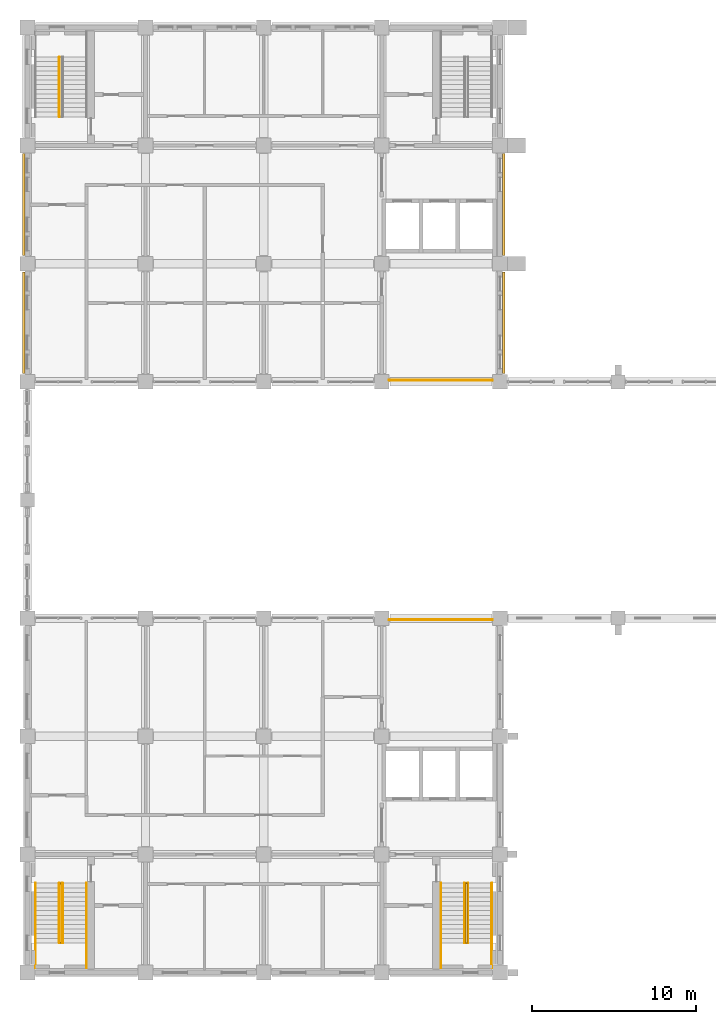
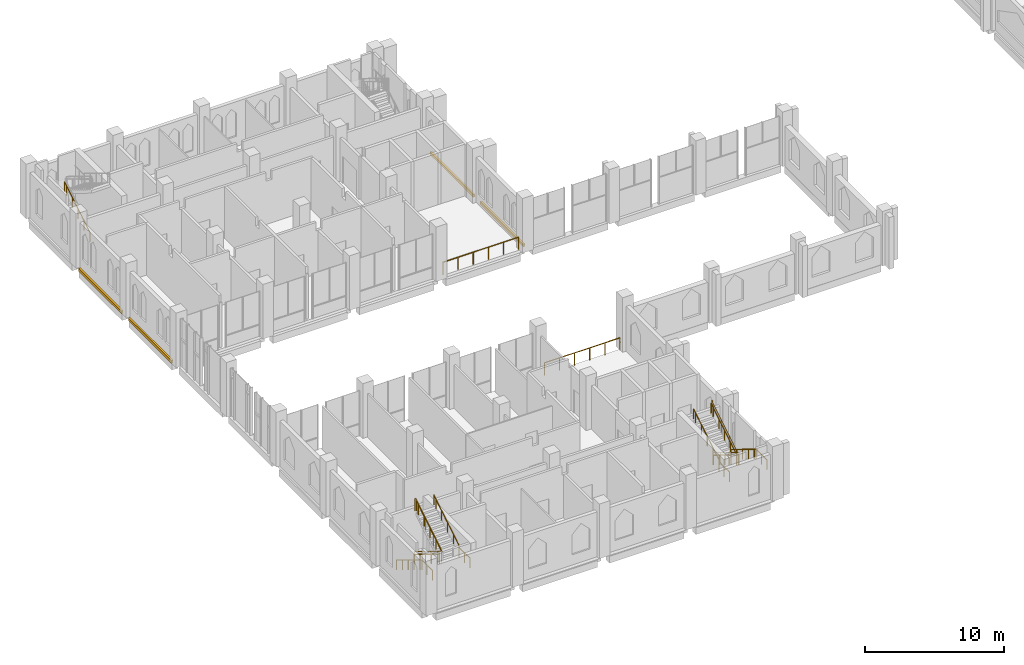
# One storey, part 38 of 40: 13 railings, 4 coverings.
"""IFC4 building model written with IfcOpenShell, lengths in metres."""

from ifc_helpers import new_model, si_unit, direction, frame, origin, origin_2d, place, context, subcontext, project, spatial, rectangle, circle, extrude, material, type_object, element, save


model = new_model("IFC4")

# Units and contexts
model_context = context("Model", 3, precision=1e-05, world=origin(), true_north=direction((0.0, 1.0)))
body_context = subcontext(model_context, "Body", "Model", "MODEL_VIEW")
ifc_project = project(units=[si_unit("LENGTHUNIT", "METRE"), si_unit("AREAUNIT", "SQUARE_METRE"), si_unit("VOLUMEUNIT", "CUBIC_METRE"), si_unit("PLANEANGLEUNIT", "RADIAN"), si_unit("MASSUNIT", "GRAM", prefix="KILO")], contexts=[model_context])

# Site, building, storey
site_placement = place(None, origin())
site = spatial("IfcSite", under=ifc_project, at=site_placement, CompositionType="ELEMENT")
building_placement = place(site_placement, origin())
building = spatial("IfcBuilding", under=site, at=building_placement, Name="Silangan Lancet Faculty of Sciences", CompositionType="ELEMENT")
storey_placement = place(building_placement, frame((0.0, 0.0, 16.800048828125)))
storey = spatial("IfcBuildingStorey", under=building, at=storey_placement, Name="L03", CompositionType="ELEMENT", Elevation=16.800048828125)

# Railings
ifc_material_1 = material(Name="Steel balustrade", Category="steel")
railing_type_1 = type_object("IfcRailingType", Name="ATRIUM GUARD 1100", PredefinedType="GUARDRAIL", material=ifc_material_1)
for number, where, name in (
    (1, (22.050048828125, 21.5, 0.0), "GUARD-ATR-L03-S5"),
    (2, (22.050048828125, 36.10009765625, 0.0), "GUARD-ATR-L03-N6"),
):
    element("IfcRailing", number, at=place(storey_placement, frame(where)), inside=storey, type_object=railing_type_1, Name=name, PredefinedType="GUARDRAIL", context=body_context, shape_type="SweptSolid", body=[
        extrude(circle(Radius=0.02392578125, at=origin_2d()), frame((0.0, 0.0, 1.076171875), z_axis=(1.0, 0.0, 0.0), x_axis=(0.0, 1.0, 0.0)), (0.0, 0.0, 1.0), 6.300048828125),
        extrude(circle(Radius=0.02099609375, at=origin_2d()), origin(), (0.0, 0.0, 1.0), 1.052001953125),
        extrude(circle(Radius=0.02099609375, at=origin_2d()), frame((1.260009765625, 0.0, 0.0)), (0.0, 0.0, 1.0), 1.052001953125),
        extrude(circle(Radius=0.02099609375, at=origin_2d()), frame((2.52001953125, 0.0, 0.0)), (0.0, 0.0, 1.0), 1.052001953125),
        extrude(circle(Radius=0.02099609375, at=origin_2d()), frame((3.780029296875, 0.0, 0.0)), (0.0, 0.0, 1.0), 1.052001953125),
        extrude(circle(Radius=0.02099609375, at=origin_2d()), frame((5.0400390625, 0.0, 0.0)), (0.0, 0.0, 1.0), 1.052001953125),
        extrude(circle(Radius=0.02099609375, at=origin_2d()), frame((6.300048828125, 0.0, 0.0)), (0.0, 0.0, 1.0), 1.052001953125),
    ])

# Coverings
ifc_material_2 = material(Name="Concrete C40/50 precast", Category="concrete")
covering_type = type_object("IfcCoveringType", Name="SC1 Precast string course 250 x 150", PredefinedType="CLADDING", material=ifc_material_2)
for number, where, z_axis, x_axis, name in (
    (3, (29.02490234375, 39.60009765625, -0.25), (0.0, 0.0, 1.0), (1.0, 0.0, 0.0), "SC-L03-E-NT-00"),
    (4, (29.02490234375, 46.800048828125, -0.25), (0.0, 0.0, 1.0), (1.0, 0.0, 0.0), "SC-L03-E-NT-01"),
    (5, (-0.22509765625, 39.60009765625, -0.25), (0.0, 0.0, 1.0), (1.0, 0.0, 0.0), "SC-L03-W-NT-00"),
    (6, (-0.22509765625, 46.800048828125, -0.25), (0.0, 0.0, 1.0), (1.0, 0.0, 0.0), "SC-L03-W-NT-01"),
):
    element("IfcCovering", number, at=place(storey_placement, frame(where, z_axis=z_axis, x_axis=x_axis)), inside=storey, type_object=covering_type, Name=name, PredefinedType="CLADDING", context=body_context, shape_type="SweptSolid", body=[
        extrude(rectangle(XDim=0.14990234375, YDim=6.199951171875, at=origin_2d()), origin(), (0.0, 0.0, 1.0), 0.25),
    ])

# Railings
ifc_material_3 = material(Name="Steel balustrade", Category="steel")
railing_type_2 = type_object("IfcRailingType", Name="STAIR GUARD 1100", PredefinedType="GUARDRAIL", material=ifc_material_3)
railing_1_placement = place(storey_placement, frame((2.0, 5.449951171875, 0.17138671875)))
element("IfcRailing", 7, at=railing_1_placement, inside=storey, type_object=railing_type_2, Name="GUARD-ST-A-L03", PredefinedType="GUARDRAIL", context=body_context, shape_type="SweptSolid", body=[
    extrude(circle(Radius=0.02392578125, at=origin_2d()), frame((0.0, 0.0, 1.076171875), z_axis=(0.0, -0.852881719064, 0.522104178577), x_axis=(1.0, 0.0, 0.0)), (0.0, 0.0, 1.0), 1.31298828125),
    extrude(circle(Radius=0.02392578125, at=origin_2d()), frame((0.0, -1.119873046875, 1.76171875), z_axis=(0.0, -0.852766832618, 0.522291804633), x_axis=(1.0, 0.0, 0.0)), (0.0, 0.0, 1.0), 1.3134765625),
    extrude(circle(Radius=0.02392578125, at=origin_2d()), frame((0.0, -2.239990234375, 2.44775390625), z_axis=(0.0, -0.852881719064, 0.522104178577), x_axis=(1.0, 0.0, 0.0)), (0.0, 0.0, 1.0), 1.31298828125),
    extrude(circle(Radius=0.02392578125, at=origin_2d()), frame((0.0, -3.35986328125, 3.13330078125), z_axis=(0.0, -0.852932391421, 0.522021393877), x_axis=(1.0, 0.0, 0.0)), (0.0, 0.0, 1.0), 0.328369140625),
    extrude(circle(Radius=0.02392578125, at=origin_2d()), frame((0.0, -3.639892578125, 3.3046875), z_axis=(1.0, 0.0, 0.0), x_axis=(0.0, 1.0, 0.0)), (0.0, 0.0, 1.0), 0.10009765625),
    extrude(circle(Radius=0.02392578125, at=origin_2d()), frame((0.10009765625, -3.639892578125, 3.3046875), z_axis=(0.0, 0.0, 1.0), x_axis=(1.0, 0.0, 0.0)), (0.0, 0.0, 1.0), 0.17138671875),
    extrude(circle(Radius=0.02392578125, at=origin_2d()), frame((0.10009765625, -3.639892578125, 3.47607421875), z_axis=(0.0, 0.852798921012, 0.522239409008), x_axis=(-1.0, 0.0, 0.0)), (0.0, 0.0, 1.0), 1.313232421875),
    extrude(circle(Radius=0.02392578125, at=origin_2d()), frame((0.10009765625, -2.52001953125, 4.16162109375), z_axis=(0.0, 0.852849614702, 0.52215661894), x_axis=(-1.0, 0.0, 0.0)), (0.0, 0.0, 1.0), 1.3134765625),
    extrude(circle(Radius=0.02392578125, at=origin_2d()), frame((0.10009765625, -1.39990234375, 4.84765625), z_axis=(0.0, 0.852798921012, 0.522239409008), x_axis=(-1.0, 0.0, 0.0)), (0.0, 0.0, 1.0), 1.313232421875),
    extrude(circle(Radius=0.02392578125, at=origin_2d()), frame((0.10009765625, -0.280029296875, 5.533203125), z_axis=(0.0, 0.852932391421, 0.522021393877), x_axis=(-1.0, 0.0, 0.0)), (0.0, 0.0, 1.0), 0.328369140625),
    extrude(circle(Radius=0.02392578125, at=origin_2d()), frame((0.10009765625, 0.0, 5.70458984375), z_axis=(-1.0, 0.0, 0.0), x_axis=(0.0, -1.0, 0.0)), (0.0, 0.0, 1.0), 0.10009765625),
    extrude(circle(Radius=0.02099609375, at=origin_2d()), origin(), (0.0, 0.0, 1.0), 1.052001953125),
    extrude(circle(Radius=0.02099609375, at=origin_2d()), frame((0.0, -1.119873046875, 0.685546875)), (0.0, 0.0, 1.0), 1.052001953125),
    extrude(circle(Radius=0.02099609375, at=origin_2d()), frame((0.0, -2.239990234375, 1.37158203125)), (0.0, 0.0, 1.0), 1.052001953125),
    extrude(circle(Radius=0.02099609375, at=origin_2d()), frame((0.0, -3.35986328125, 2.05712890625)), (0.0, 0.0, 1.0), 1.052001953125),
    extrude(circle(Radius=0.02099609375, at=origin_2d()), frame((0.0, -3.639892578125, 2.228515625)), (0.0, 0.0, 1.0), 1.052001953125),
    extrude(circle(Radius=0.02099609375, at=origin_2d()), frame((0.10009765625, -3.639892578125, 2.228515625)), (0.0, 0.0, 1.0), 1.052001953125),
    extrude(circle(Radius=0.02099609375, at=origin_2d()), frame((0.10009765625, -3.639892578125, 2.39990234375)), (0.0, 0.0, 1.0), 1.052001953125),
    extrude(circle(Radius=0.02099609375, at=origin_2d()), frame((0.10009765625, -2.52001953125, 3.085693359375)), (0.0, 0.0, 1.0), 1.052001953125),
    extrude(circle(Radius=0.02099609375, at=origin_2d()), frame((0.10009765625, -1.39990234375, 3.771484375)), (0.0, 0.0, 1.0), 1.052001953125),
    extrude(circle(Radius=0.02099609375, at=origin_2d()), frame((0.10009765625, -0.280029296875, 4.457275390625)), (0.0, 0.0, 1.0), 1.052001953125),
    extrude(circle(Radius=0.02099609375, at=origin_2d()), frame((0.10009765625, 0.0, 4.628662109375)), (0.0, 0.0, 1.0), 1.052001953125),
    extrude(circle(Radius=0.02099609375, at=origin_2d()), frame((0.0, 0.0, 4.628662109375)), (0.0, 0.0, 1.0), 1.052001953125),
])
railing_2_placement = place(storey_placement, frame((26.800048828125, 5.449951171875, 0.17138671875)))
element("IfcRailing", 8, at=railing_2_placement, inside=storey, type_object=railing_type_2, Name="GUARD-ST-B-L03", PredefinedType="GUARDRAIL", context=body_context, shape_type="SweptSolid", body=[
    extrude(circle(Radius=0.02392578125, at=origin_2d()), frame((0.0, 0.0, 1.076171875), z_axis=(0.0, -0.852881719064, 0.522104178577), x_axis=(1.0, 0.0, 0.0)), (0.0, 0.0, 1.0), 1.31298828125),
    extrude(circle(Radius=0.02392578125, at=origin_2d()), frame((0.0, -1.119873046875, 1.76171875), z_axis=(0.0, -0.852766832618, 0.522291804633), x_axis=(1.0, 0.0, 0.0)), (0.0, 0.0, 1.0), 1.3134765625),
    extrude(circle(Radius=0.02392578125, at=origin_2d()), frame((0.0, -2.239990234375, 2.44775390625), z_axis=(0.0, -0.852881719064, 0.522104178577), x_axis=(1.0, 0.0, 0.0)), (0.0, 0.0, 1.0), 1.31298828125),
    extrude(circle(Radius=0.02392578125, at=origin_2d()), frame((0.0, -3.35986328125, 3.13330078125), z_axis=(0.0, -0.852932391421, 0.522021393877), x_axis=(1.0, 0.0, 0.0)), (0.0, 0.0, 1.0), 0.328369140625),
    extrude(circle(Radius=0.02392578125, at=origin_2d()), frame((0.0, -3.639892578125, 3.3046875), z_axis=(-1.0, 0.0, 0.0), x_axis=(0.0, -1.0, 0.0)), (0.0, 0.0, 1.0), 0.10009765625),
    extrude(circle(Radius=0.02392578125, at=origin_2d()), frame((-0.10009765625, -3.639892578125, 3.3046875), z_axis=(0.0, 0.0, 1.0), x_axis=(1.0, 0.0, 0.0)), (0.0, 0.0, 1.0), 0.17138671875),
    extrude(circle(Radius=0.02392578125, at=origin_2d()), frame((-0.10009765625, -3.639892578125, 3.47607421875), z_axis=(0.0, 0.852798921012, 0.522239409008), x_axis=(-1.0, 0.0, 0.0)), (0.0, 0.0, 1.0), 1.313232421875),
    extrude(circle(Radius=0.02392578125, at=origin_2d()), frame((-0.10009765625, -2.52001953125, 4.16162109375), z_axis=(0.0, 0.852849614702, 0.52215661894), x_axis=(-1.0, 0.0, 0.0)), (0.0, 0.0, 1.0), 1.3134765625),
    extrude(circle(Radius=0.02392578125, at=origin_2d()), frame((-0.10009765625, -1.39990234375, 4.84765625), z_axis=(0.0, 0.852798921012, 0.522239409008), x_axis=(-1.0, 0.0, 0.0)), (0.0, 0.0, 1.0), 1.313232421875),
    extrude(circle(Radius=0.02392578125, at=origin_2d()), frame((-0.10009765625, -0.280029296875, 5.533203125), z_axis=(0.0, 0.852932391421, 0.522021393877), x_axis=(-1.0, 0.0, 0.0)), (0.0, 0.0, 1.0), 0.328369140625),
    extrude(circle(Radius=0.02392578125, at=origin_2d()), frame((-0.10009765625, 0.0, 5.70458984375), z_axis=(1.0, 0.0, 0.0), x_axis=(0.0, 1.0, 0.0)), (0.0, 0.0, 1.0), 0.10009765625),
    extrude(circle(Radius=0.02099609375, at=origin_2d()), origin(), (0.0, 0.0, 1.0), 1.052001953125),
    extrude(circle(Radius=0.02099609375, at=origin_2d()), frame((0.0, -1.119873046875, 0.685546875)), (0.0, 0.0, 1.0), 1.052001953125),
    extrude(circle(Radius=0.02099609375, at=origin_2d()), frame((0.0, -2.239990234375, 1.37158203125)), (0.0, 0.0, 1.0), 1.052001953125),
    extrude(circle(Radius=0.02099609375, at=origin_2d()), frame((0.0, -3.35986328125, 2.05712890625)), (0.0, 0.0, 1.0), 1.052001953125),
    extrude(circle(Radius=0.02099609375, at=origin_2d()), frame((0.0, -3.639892578125, 2.228515625)), (0.0, 0.0, 1.0), 1.052001953125),
    extrude(circle(Radius=0.02099609375, at=origin_2d()), frame((-0.10009765625, -3.639892578125, 2.228515625)), (0.0, 0.0, 1.0), 1.052001953125),
    extrude(circle(Radius=0.02099609375, at=origin_2d()), frame((-0.10009765625, -3.639892578125, 2.39990234375)), (0.0, 0.0, 1.0), 1.052001953125),
    extrude(circle(Radius=0.02099609375, at=origin_2d()), frame((-0.10009765625, -2.52001953125, 3.085693359375)), (0.0, 0.0, 1.0), 1.052001953125),
    extrude(circle(Radius=0.02099609375, at=origin_2d()), frame((-0.10009765625, -1.39990234375, 3.771484375)), (0.0, 0.0, 1.0), 1.052001953125),
    extrude(circle(Radius=0.02099609375, at=origin_2d()), frame((-0.10009765625, -0.280029296875, 4.457275390625)), (0.0, 0.0, 1.0), 1.052001953125),
    extrude(circle(Radius=0.02099609375, at=origin_2d()), frame((-0.10009765625, 0.0, 4.628662109375)), (0.0, 0.0, 1.0), 1.052001953125),
    extrude(circle(Radius=0.02099609375, at=origin_2d()), frame((0.0, 0.0, 4.628662109375)), (0.0, 0.0, 1.0), 1.052001953125),
])
ifc_material_4 = material(Name="Stainless steel", Category="steel")
railing_type_3 = type_object("IfcRailingType", Name="STAIR HANDRAIL 865", PredefinedType="HANDRAIL", material=ifc_material_4)
railing_3_placement = place(storey_placement, frame((1.949951171875, 52.14990234375, 0.17138671875)))
element("IfcRailing", 9, at=railing_3_placement, inside=storey, type_object=railing_type_3, Name="HANDRAIL-NT-A-L03-I1", PredefinedType="HANDRAIL", context=body_context, shape_type="SweptSolid", body=[
    extrude(circle(Radius=0.02392578125, at=origin_2d()), frame((0.0, 0.0, 0.8408203125), z_axis=(0.0, 0.852932391421, 0.522021393877), x_axis=(-1.0, 0.0, 0.0)), (0.0, 0.0, 1.0), 0.98486328125),
    extrude(circle(Radius=0.02392578125, at=origin_2d()), frame((0.0, 0.840087890625, 1.35498046875), z_axis=(0.0, 0.852822021269, 0.522201685212), x_axis=(-1.0, 0.0, 0.0)), (0.0, 0.0, 1.0), 0.985107421875),
    extrude(circle(Radius=0.02392578125, at=origin_2d()), frame((0.0, 1.68017578125, 1.86962890625), z_axis=(0.0, 0.852754414843, 0.522312079092), x_axis=(-1.0, 0.0, 0.0)), (0.0, 0.0, 1.0), 0.98486328125),
    extrude(circle(Radius=0.02392578125, at=origin_2d()), frame((0.0, 2.52001953125, 2.3837890625), z_axis=(0.0, 0.852932391421, 0.522021393877), x_axis=(-1.0, 0.0, 0.0)), (0.0, 0.0, 1.0), 0.98486328125),
    extrude(circle(Radius=0.02392578125, at=origin_2d()), frame((0.0, 3.360107421875, 2.89794921875), z_axis=(0.0, 0.852932391421, 0.522021393877), x_axis=(-1.0, 0.0, 0.0)), (0.0, 0.0, 1.0), 0.328369140625),
    extrude(circle(Radius=0.02099609375, at=origin_2d()), origin(), (0.0, 0.0, 1.0), 0.81689453125),
    extrude(circle(Radius=0.02099609375, at=origin_2d()), frame((0.0, 0.840087890625, 0.51416015625)), (0.0, 0.0, 1.0), 0.81689453125),
    extrude(circle(Radius=0.02099609375, at=origin_2d()), frame((0.0, 1.68017578125, 1.028564453125)), (0.0, 0.0, 1.0), 0.81689453125),
    extrude(circle(Radius=0.02099609375, at=origin_2d()), frame((0.0, 2.52001953125, 1.54296875)), (0.0, 0.0, 1.0), 0.81689453125),
    extrude(circle(Radius=0.02099609375, at=origin_2d()), frame((0.0, 3.360107421875, 2.05712890625)), (0.0, 0.0, 1.0), 0.81689453125),
    extrude(circle(Radius=0.02099609375, at=origin_2d()), frame((0.0, 3.64013671875, 2.228515625)), (0.0, 0.0, 1.0), 0.81689453125),
])
railing_4_placement = place(storey_placement, frame((0.5, 5.449951171875, 0.17138671875)))
element("IfcRailing", 10, at=railing_4_placement, inside=storey, type_object=railing_type_3, Name="HANDRAIL-ST-A-L03-O1", PredefinedType="HANDRAIL", context=body_context, shape_type="SweptSolid", body=[
    extrude(circle(Radius=0.02392578125, at=origin_2d()), frame((0.0, 0.0, 0.8408203125), z_axis=(0.0, -0.85286482292, 0.522131778218), x_axis=(1.0, 0.0, 0.0)), (0.0, 0.0, 1.0), 0.984619140625),
    extrude(circle(Radius=0.02392578125, at=origin_2d()), frame((0.0, -0.83984375, 1.35498046875), z_axis=(0.0, -0.852822021269, 0.522201685212), x_axis=(1.0, 0.0, 0.0)), (0.0, 0.0, 1.0), 0.985107421875),
    extrude(circle(Radius=0.02392578125, at=origin_2d()), frame((0.0, -1.679931640625, 1.86962890625), z_axis=(0.0, -0.852822021269, 0.522201685212), x_axis=(1.0, 0.0, 0.0)), (0.0, 0.0, 1.0), 0.985107421875),
    extrude(circle(Radius=0.02392578125, at=origin_2d()), frame((0.0, -2.52001953125, 2.3837890625), z_axis=(0.0, -0.85286482292, 0.522131778218), x_axis=(1.0, 0.0, 0.0)), (0.0, 0.0, 1.0), 0.984619140625),
    extrude(circle(Radius=0.02392578125, at=origin_2d()), frame((0.0, -3.35986328125, 2.89794921875), z_axis=(0.0, -0.852932391421, 0.522021393877), x_axis=(1.0, 0.0, 0.0)), (0.0, 0.0, 1.0), 0.328369140625),
    extrude(circle(Radius=0.02392578125, at=origin_2d()), frame((0.0, -3.639892578125, 3.0693359375), z_axis=(0.0, -1.0, 0.0), x_axis=(1.0, 0.0, 0.0)), (0.0, 0.0, 1.0), 1.53515625),
    extrude(circle(Radius=0.02099609375, at=origin_2d()), origin(), (0.0, 0.0, 1.0), 0.81689453125),
    extrude(circle(Radius=0.02099609375, at=origin_2d()), frame((0.0, -0.83984375, 0.51416015625)), (0.0, 0.0, 1.0), 0.81689453125),
    extrude(circle(Radius=0.02099609375, at=origin_2d()), frame((0.0, -1.679931640625, 1.028564453125)), (0.0, 0.0, 1.0), 0.81689453125),
    extrude(circle(Radius=0.02099609375, at=origin_2d()), frame((0.0, -2.52001953125, 1.54296875)), (0.0, 0.0, 1.0), 0.81689453125),
    extrude(circle(Radius=0.02099609375, at=origin_2d()), frame((0.0, -3.35986328125, 2.05712890625)), (0.0, 0.0, 1.0), 0.81689453125),
    extrude(circle(Radius=0.02099609375, at=origin_2d()), frame((0.0, -3.639892578125, 2.228515625)), (0.0, 0.0, 1.0), 0.81689453125),
    extrude(circle(Radius=0.02099609375, at=origin_2d()), frame((0.0, -4.407470703125, 2.228515625)), (0.0, 0.0, 1.0), 0.81689453125),
    extrude(circle(Radius=0.02099609375, at=origin_2d()), frame((0.0, -5.175048828125, 2.228515625)), (0.0, 0.0, 1.0), 0.81689453125),
])
railing_5_placement = place(storey_placement, frame((1.949951171875, 5.449951171875, 0.17138671875)))
element("IfcRailing", 11, at=railing_5_placement, inside=storey, type_object=railing_type_3, Name="HANDRAIL-ST-A-L03-I1", PredefinedType="HANDRAIL", context=body_context, shape_type="SweptSolid", body=[
    extrude(circle(Radius=0.02392578125, at=origin_2d()), frame((0.0, 0.0, 0.8408203125), z_axis=(0.0, -0.85286482292, 0.522131778218), x_axis=(1.0, 0.0, 0.0)), (0.0, 0.0, 1.0), 0.984619140625),
    extrude(circle(Radius=0.02392578125, at=origin_2d()), frame((0.0, -0.83984375, 1.35498046875), z_axis=(0.0, -0.852822021269, 0.522201685212), x_axis=(1.0, 0.0, 0.0)), (0.0, 0.0, 1.0), 0.985107421875),
    extrude(circle(Radius=0.02392578125, at=origin_2d()), frame((0.0, -1.679931640625, 1.86962890625), z_axis=(0.0, -0.852822021269, 0.522201685212), x_axis=(1.0, 0.0, 0.0)), (0.0, 0.0, 1.0), 0.985107421875),
    extrude(circle(Radius=0.02392578125, at=origin_2d()), frame((0.0, -2.52001953125, 2.3837890625), z_axis=(0.0, -0.85286482292, 0.522131778218), x_axis=(1.0, 0.0, 0.0)), (0.0, 0.0, 1.0), 0.984619140625),
    extrude(circle(Radius=0.02392578125, at=origin_2d()), frame((0.0, -3.35986328125, 2.89794921875), z_axis=(0.0, -0.852932391421, 0.522021393877), x_axis=(1.0, 0.0, 0.0)), (0.0, 0.0, 1.0), 0.328369140625),
    extrude(circle(Radius=0.02099609375, at=origin_2d()), origin(), (0.0, 0.0, 1.0), 0.81689453125),
    extrude(circle(Radius=0.02099609375, at=origin_2d()), frame((0.0, -0.83984375, 0.51416015625)), (0.0, 0.0, 1.0), 0.81689453125),
    extrude(circle(Radius=0.02099609375, at=origin_2d()), frame((0.0, -1.679931640625, 1.028564453125)), (0.0, 0.0, 1.0), 0.81689453125),
    extrude(circle(Radius=0.02099609375, at=origin_2d()), frame((0.0, -2.52001953125, 1.54296875)), (0.0, 0.0, 1.0), 0.81689453125),
    extrude(circle(Radius=0.02099609375, at=origin_2d()), frame((0.0, -3.35986328125, 2.05712890625)), (0.0, 0.0, 1.0), 0.81689453125),
    extrude(circle(Radius=0.02099609375, at=origin_2d()), frame((0.0, -3.639892578125, 2.228515625)), (0.0, 0.0, 1.0), 0.81689453125),
])
railing_6_placement = place(storey_placement, frame((3.60009765625, 0.27490234375, 2.39990234375)))
element("IfcRailing", 12, at=railing_6_placement, inside=storey, type_object=railing_type_3, Name="HANDRAIL-ST-A-L03-O2", PredefinedType="HANDRAIL", context=body_context, shape_type="SweptSolid", body=[
    extrude(circle(Radius=0.02392578125, at=origin_2d()), frame((0.0, 0.0, 0.8408203125), z_axis=(0.0, 1.0, 0.0), x_axis=(-1.0, 0.0, 0.0)), (0.0, 0.0, 1.0), 1.53515625),
    extrude(circle(Radius=0.02392578125, at=origin_2d()), frame((0.0, 1.53515625, 0.8408203125), z_axis=(0.0, 0.0, 1.0), x_axis=(1.0, 0.0, 0.0)), (0.0, 0.0, 1.0), 0.17138671875),
    extrude(circle(Radius=0.02392578125, at=origin_2d()), frame((0.0, 1.53515625, 1.01220703125), z_axis=(0.0, 0.852754414843, 0.522312079092), x_axis=(-1.0, 0.0, 0.0)), (0.0, 0.0, 1.0), 0.98486328125),
    extrude(circle(Radius=0.02392578125, at=origin_2d()), frame((0.0, 2.375, 1.52685546875), z_axis=(0.0, 0.852932391421, 0.522021393877), x_axis=(-1.0, 0.0, 0.0)), (0.0, 0.0, 1.0), 0.98486328125),
    extrude(circle(Radius=0.02392578125, at=origin_2d()), frame((0.0, 3.215087890625, 2.041015625), z_axis=(0.0, 0.852822021269, 0.522201685212), x_axis=(-1.0, 0.0, 0.0)), (0.0, 0.0, 1.0), 0.985107421875),
    extrude(circle(Radius=0.02392578125, at=origin_2d()), frame((0.0, 4.05517578125, 2.55517578125), z_axis=(0.0, 0.852754414843, 0.522312079092), x_axis=(-1.0, 0.0, 0.0)), (0.0, 0.0, 1.0), 0.98486328125),
    extrude(circle(Radius=0.02392578125, at=origin_2d()), frame((0.0, 4.89501953125, 3.06982421875), z_axis=(0.0, 0.852932391421, 0.522021393877), x_axis=(-1.0, 0.0, 0.0)), (0.0, 0.0, 1.0), 0.328369140625),
    extrude(circle(Radius=0.02099609375, at=origin_2d()), origin(), (0.0, 0.0, 1.0), 0.81689453125),
    extrude(circle(Radius=0.02099609375, at=origin_2d()), frame((0.0, 0.767578125, 0.0)), (0.0, 0.0, 1.0), 0.81689453125),
    extrude(circle(Radius=0.02099609375, at=origin_2d()), frame((0.0, 1.53515625, 0.0)), (0.0, 0.0, 1.0), 0.81689453125),
    extrude(circle(Radius=0.02099609375, at=origin_2d()), frame((0.0, 1.53515625, 0.17138671875)), (0.0, 0.0, 1.0), 0.81689453125),
    extrude(circle(Radius=0.02099609375, at=origin_2d()), frame((0.0, 2.375, 0.685791015625)), (0.0, 0.0, 1.0), 0.81689453125),
    extrude(circle(Radius=0.02099609375, at=origin_2d()), frame((0.0, 3.215087890625, 1.199951171875)), (0.0, 0.0, 1.0), 0.81689453125),
    extrude(circle(Radius=0.02099609375, at=origin_2d()), frame((0.0, 4.05517578125, 1.71435546875)), (0.0, 0.0, 1.0), 0.81689453125),
    extrude(circle(Radius=0.02099609375, at=origin_2d()), frame((0.0, 4.89501953125, 2.228759765625)), (0.0, 0.0, 1.0), 0.81689453125),
    extrude(circle(Radius=0.02099609375, at=origin_2d()), frame((0.0, 5.175048828125, 2.400146484375)), (0.0, 0.0, 1.0), 0.81689453125),
])
railing_7_placement = place(storey_placement, frame((2.14990234375, 1.81005859375, 2.5712890625)))
element("IfcRailing", 13, at=railing_7_placement, inside=storey, type_object=railing_type_3, Name="HANDRAIL-ST-A-L03-I2", PredefinedType="HANDRAIL", context=body_context, shape_type="SweptSolid", body=[
    extrude(circle(Radius=0.02392578125, at=origin_2d()), frame((0.0, 0.0, 0.8408203125), z_axis=(0.0, 0.852754414843, 0.522312079092), x_axis=(-1.0, 0.0, 0.0)), (0.0, 0.0, 1.0), 0.98486328125),
    extrude(circle(Radius=0.02392578125, at=origin_2d()), frame((0.0, 0.83984375, 1.35546875), z_axis=(0.0, 0.852932391421, 0.522021393877), x_axis=(-1.0, 0.0, 0.0)), (0.0, 0.0, 1.0), 0.98486328125),
    extrude(circle(Radius=0.02392578125, at=origin_2d()), frame((0.0, 1.679931640625, 1.86962890625), z_axis=(0.0, 0.852822021269, 0.522201685212), x_axis=(-1.0, 0.0, 0.0)), (0.0, 0.0, 1.0), 0.985107421875),
    extrude(circle(Radius=0.02392578125, at=origin_2d()), frame((0.0, 2.52001953125, 2.3837890625), z_axis=(0.0, 0.852754414843, 0.522312079092), x_axis=(-1.0, 0.0, 0.0)), (0.0, 0.0, 1.0), 0.98486328125),
    extrude(circle(Radius=0.02392578125, at=origin_2d()), frame((0.0, 3.35986328125, 2.8984375), z_axis=(0.0, 0.852932391421, 0.522021393877), x_axis=(-1.0, 0.0, 0.0)), (0.0, 0.0, 1.0), 0.328369140625),
    extrude(circle(Radius=0.02099609375, at=origin_2d()), origin(), (0.0, 0.0, 1.0), 0.81689453125),
    extrude(circle(Radius=0.02099609375, at=origin_2d()), frame((0.0, 0.83984375, 0.514404296875)), (0.0, 0.0, 1.0), 0.81689453125),
    extrude(circle(Radius=0.02099609375, at=origin_2d()), frame((0.0, 1.679931640625, 1.028564453125)), (0.0, 0.0, 1.0), 0.81689453125),
    extrude(circle(Radius=0.02099609375, at=origin_2d()), frame((0.0, 2.52001953125, 1.54296875)), (0.0, 0.0, 1.0), 0.81689453125),
    extrude(circle(Radius=0.02099609375, at=origin_2d()), frame((0.0, 3.35986328125, 2.057373046875)), (0.0, 0.0, 1.0), 0.81689453125),
    extrude(circle(Radius=0.02099609375, at=origin_2d()), frame((0.0, 3.639892578125, 2.228759765625)), (0.0, 0.0, 1.0), 0.81689453125),
])
railing_8_placement = place(storey_placement, frame((28.300048828125, 5.449951171875, 0.17138671875)))
element("IfcRailing", 14, at=railing_8_placement, inside=storey, type_object=railing_type_3, Name="HANDRAIL-ST-B-L03-O1", PredefinedType="HANDRAIL", context=body_context, shape_type="SweptSolid", body=[
    extrude(circle(Radius=0.02392578125, at=origin_2d()), frame((0.0, 0.0, 0.8408203125), z_axis=(0.0, -0.85286482292, 0.522131778218), x_axis=(1.0, 0.0, 0.0)), (0.0, 0.0, 1.0), 0.984619140625),
    extrude(circle(Radius=0.02392578125, at=origin_2d()), frame((0.0, -0.83984375, 1.35498046875), z_axis=(0.0, -0.852822021269, 0.522201685212), x_axis=(1.0, 0.0, 0.0)), (0.0, 0.0, 1.0), 0.985107421875),
    extrude(circle(Radius=0.02392578125, at=origin_2d()), frame((0.0, -1.679931640625, 1.86962890625), z_axis=(0.0, -0.852822021269, 0.522201685212), x_axis=(1.0, 0.0, 0.0)), (0.0, 0.0, 1.0), 0.985107421875),
    extrude(circle(Radius=0.02392578125, at=origin_2d()), frame((0.0, -2.52001953125, 2.3837890625), z_axis=(0.0, -0.85286482292, 0.522131778218), x_axis=(1.0, 0.0, 0.0)), (0.0, 0.0, 1.0), 0.984619140625),
    extrude(circle(Radius=0.02392578125, at=origin_2d()), frame((0.0, -3.35986328125, 2.89794921875), z_axis=(0.0, -0.852932391421, 0.522021393877), x_axis=(1.0, 0.0, 0.0)), (0.0, 0.0, 1.0), 0.328369140625),
    extrude(circle(Radius=0.02392578125, at=origin_2d()), frame((0.0, -3.639892578125, 3.0693359375), z_axis=(0.0, -1.0, 0.0), x_axis=(1.0, 0.0, 0.0)), (0.0, 0.0, 1.0), 1.53515625),
    extrude(circle(Radius=0.02099609375, at=origin_2d()), origin(), (0.0, 0.0, 1.0), 0.81689453125),
    extrude(circle(Radius=0.02099609375, at=origin_2d()), frame((0.0, -0.83984375, 0.51416015625)), (0.0, 0.0, 1.0), 0.81689453125),
    extrude(circle(Radius=0.02099609375, at=origin_2d()), frame((0.0, -1.679931640625, 1.028564453125)), (0.0, 0.0, 1.0), 0.81689453125),
    extrude(circle(Radius=0.02099609375, at=origin_2d()), frame((0.0, -2.52001953125, 1.54296875)), (0.0, 0.0, 1.0), 0.81689453125),
    extrude(circle(Radius=0.02099609375, at=origin_2d()), frame((0.0, -3.35986328125, 2.05712890625)), (0.0, 0.0, 1.0), 0.81689453125),
    extrude(circle(Radius=0.02099609375, at=origin_2d()), frame((0.0, -3.639892578125, 2.228515625)), (0.0, 0.0, 1.0), 0.81689453125),
    extrude(circle(Radius=0.02099609375, at=origin_2d()), frame((0.0, -4.407470703125, 2.228515625)), (0.0, 0.0, 1.0), 0.81689453125),
    extrude(circle(Radius=0.02099609375, at=origin_2d()), frame((0.0, -5.175048828125, 2.228515625)), (0.0, 0.0, 1.0), 0.81689453125),
])
railing_9_placement = place(storey_placement, frame((26.85009765625, 5.449951171875, 0.17138671875)))
element("IfcRailing", 15, at=railing_9_placement, inside=storey, type_object=railing_type_3, Name="HANDRAIL-ST-B-L03-I1", PredefinedType="HANDRAIL", context=body_context, shape_type="SweptSolid", body=[
    extrude(circle(Radius=0.02392578125, at=origin_2d()), frame((0.0, 0.0, 0.8408203125), z_axis=(0.0, -0.85286482292, 0.522131778218), x_axis=(1.0, 0.0, 0.0)), (0.0, 0.0, 1.0), 0.984619140625),
    extrude(circle(Radius=0.02392578125, at=origin_2d()), frame((0.0, -0.83984375, 1.35498046875), z_axis=(0.0, -0.852822021269, 0.522201685212), x_axis=(1.0, 0.0, 0.0)), (0.0, 0.0, 1.0), 0.985107421875),
    extrude(circle(Radius=0.02392578125, at=origin_2d()), frame((0.0, -1.679931640625, 1.86962890625), z_axis=(0.0, -0.852822021269, 0.522201685212), x_axis=(1.0, 0.0, 0.0)), (0.0, 0.0, 1.0), 0.985107421875),
    extrude(circle(Radius=0.02392578125, at=origin_2d()), frame((0.0, -2.52001953125, 2.3837890625), z_axis=(0.0, -0.85286482292, 0.522131778218), x_axis=(1.0, 0.0, 0.0)), (0.0, 0.0, 1.0), 0.984619140625),
    extrude(circle(Radius=0.02392578125, at=origin_2d()), frame((0.0, -3.35986328125, 2.89794921875), z_axis=(0.0, -0.852932391421, 0.522021393877), x_axis=(1.0, 0.0, 0.0)), (0.0, 0.0, 1.0), 0.328369140625),
    extrude(circle(Radius=0.02099609375, at=origin_2d()), origin(), (0.0, 0.0, 1.0), 0.81689453125),
    extrude(circle(Radius=0.02099609375, at=origin_2d()), frame((0.0, -0.83984375, 0.51416015625)), (0.0, 0.0, 1.0), 0.81689453125),
    extrude(circle(Radius=0.02099609375, at=origin_2d()), frame((0.0, -1.679931640625, 1.028564453125)), (0.0, 0.0, 1.0), 0.81689453125),
    extrude(circle(Radius=0.02099609375, at=origin_2d()), frame((0.0, -2.52001953125, 1.54296875)), (0.0, 0.0, 1.0), 0.81689453125),
    extrude(circle(Radius=0.02099609375, at=origin_2d()), frame((0.0, -3.35986328125, 2.05712890625)), (0.0, 0.0, 1.0), 0.81689453125),
    extrude(circle(Radius=0.02099609375, at=origin_2d()), frame((0.0, -3.639892578125, 2.228515625)), (0.0, 0.0, 1.0), 0.81689453125),
])
railing_10_placement = place(storey_placement, frame((25.199951171875, 0.27490234375, 2.39990234375)))
element("IfcRailing", 16, at=railing_10_placement, inside=storey, type_object=railing_type_3, Name="HANDRAIL-ST-B-L03-O2", PredefinedType="HANDRAIL", context=body_context, shape_type="SweptSolid", body=[
    extrude(circle(Radius=0.02392578125, at=origin_2d()), frame((0.0, 0.0, 0.8408203125), z_axis=(0.0, 1.0, 0.0), x_axis=(-1.0, 0.0, 0.0)), (0.0, 0.0, 1.0), 1.53515625),
    extrude(circle(Radius=0.02392578125, at=origin_2d()), frame((0.0, 1.53515625, 0.8408203125), z_axis=(0.0, 0.0, 1.0), x_axis=(1.0, 0.0, 0.0)), (0.0, 0.0, 1.0), 0.17138671875),
    extrude(circle(Radius=0.02392578125, at=origin_2d()), frame((0.0, 1.53515625, 1.01220703125), z_axis=(0.0, 0.852754414843, 0.522312079092), x_axis=(-1.0, 0.0, 0.0)), (0.0, 0.0, 1.0), 0.98486328125),
    extrude(circle(Radius=0.02392578125, at=origin_2d()), frame((0.0, 2.375, 1.52685546875), z_axis=(0.0, 0.852932391421, 0.522021393877), x_axis=(-1.0, 0.0, 0.0)), (0.0, 0.0, 1.0), 0.98486328125),
    extrude(circle(Radius=0.02392578125, at=origin_2d()), frame((0.0, 3.215087890625, 2.041015625), z_axis=(0.0, 0.852822021269, 0.522201685212), x_axis=(-1.0, 0.0, 0.0)), (0.0, 0.0, 1.0), 0.985107421875),
    extrude(circle(Radius=0.02392578125, at=origin_2d()), frame((0.0, 4.05517578125, 2.55517578125), z_axis=(0.0, 0.852754414843, 0.522312079092), x_axis=(-1.0, 0.0, 0.0)), (0.0, 0.0, 1.0), 0.98486328125),
    extrude(circle(Radius=0.02392578125, at=origin_2d()), frame((0.0, 4.89501953125, 3.06982421875), z_axis=(0.0, 0.852932391421, 0.522021393877), x_axis=(-1.0, 0.0, 0.0)), (0.0, 0.0, 1.0), 0.328369140625),
    extrude(circle(Radius=0.02099609375, at=origin_2d()), origin(), (0.0, 0.0, 1.0), 0.81689453125),
    extrude(circle(Radius=0.02099609375, at=origin_2d()), frame((0.0, 0.767578125, 0.0)), (0.0, 0.0, 1.0), 0.81689453125),
    extrude(circle(Radius=0.02099609375, at=origin_2d()), frame((0.0, 1.53515625, 0.0)), (0.0, 0.0, 1.0), 0.81689453125),
    extrude(circle(Radius=0.02099609375, at=origin_2d()), frame((0.0, 1.53515625, 0.17138671875)), (0.0, 0.0, 1.0), 0.81689453125),
    extrude(circle(Radius=0.02099609375, at=origin_2d()), frame((0.0, 2.375, 0.685791015625)), (0.0, 0.0, 1.0), 0.81689453125),
    extrude(circle(Radius=0.02099609375, at=origin_2d()), frame((0.0, 3.215087890625, 1.199951171875)), (0.0, 0.0, 1.0), 0.81689453125),
    extrude(circle(Radius=0.02099609375, at=origin_2d()), frame((0.0, 4.05517578125, 1.71435546875)), (0.0, 0.0, 1.0), 0.81689453125),
    extrude(circle(Radius=0.02099609375, at=origin_2d()), frame((0.0, 4.89501953125, 2.228759765625)), (0.0, 0.0, 1.0), 0.81689453125),
    extrude(circle(Radius=0.02099609375, at=origin_2d()), frame((0.0, 5.175048828125, 2.400146484375)), (0.0, 0.0, 1.0), 0.81689453125),
])
railing_11_placement = place(storey_placement, frame((26.64990234375, 1.81005859375, 2.5712890625)))
element("IfcRailing", 17, at=railing_11_placement, inside=storey, type_object=railing_type_3, Name="HANDRAIL-ST-B-L03-I2", PredefinedType="HANDRAIL", context=body_context, shape_type="SweptSolid", body=[
    extrude(circle(Radius=0.02392578125, at=origin_2d()), frame((0.0, 0.0, 0.8408203125), z_axis=(0.0, 0.852754414843, 0.522312079092), x_axis=(-1.0, 0.0, 0.0)), (0.0, 0.0, 1.0), 0.98486328125),
    extrude(circle(Radius=0.02392578125, at=origin_2d()), frame((0.0, 0.83984375, 1.35546875), z_axis=(0.0, 0.852932391421, 0.522021393877), x_axis=(-1.0, 0.0, 0.0)), (0.0, 0.0, 1.0), 0.98486328125),
    extrude(circle(Radius=0.02392578125, at=origin_2d()), frame((0.0, 1.679931640625, 1.86962890625), z_axis=(0.0, 0.852822021269, 0.522201685212), x_axis=(-1.0, 0.0, 0.0)), (0.0, 0.0, 1.0), 0.985107421875),
    extrude(circle(Radius=0.02392578125, at=origin_2d()), frame((0.0, 2.52001953125, 2.3837890625), z_axis=(0.0, 0.852754414843, 0.522312079092), x_axis=(-1.0, 0.0, 0.0)), (0.0, 0.0, 1.0), 0.98486328125),
    extrude(circle(Radius=0.02392578125, at=origin_2d()), frame((0.0, 3.35986328125, 2.8984375), z_axis=(0.0, 0.852932391421, 0.522021393877), x_axis=(-1.0, 0.0, 0.0)), (0.0, 0.0, 1.0), 0.328369140625),
    extrude(circle(Radius=0.02099609375, at=origin_2d()), origin(), (0.0, 0.0, 1.0), 0.81689453125),
    extrude(circle(Radius=0.02099609375, at=origin_2d()), frame((0.0, 0.83984375, 0.514404296875)), (0.0, 0.0, 1.0), 0.81689453125),
    extrude(circle(Radius=0.02099609375, at=origin_2d()), frame((0.0, 1.679931640625, 1.028564453125)), (0.0, 0.0, 1.0), 0.81689453125),
    extrude(circle(Radius=0.02099609375, at=origin_2d()), frame((0.0, 2.52001953125, 1.54296875)), (0.0, 0.0, 1.0), 0.81689453125),
    extrude(circle(Radius=0.02099609375, at=origin_2d()), frame((0.0, 3.35986328125, 2.057373046875)), (0.0, 0.0, 1.0), 0.81689453125),
    extrude(circle(Radius=0.02099609375, at=origin_2d()), frame((0.0, 3.639892578125, 2.228759765625)), (0.0, 0.0, 1.0), 0.81689453125),
])

save(model, "model.ifc")
